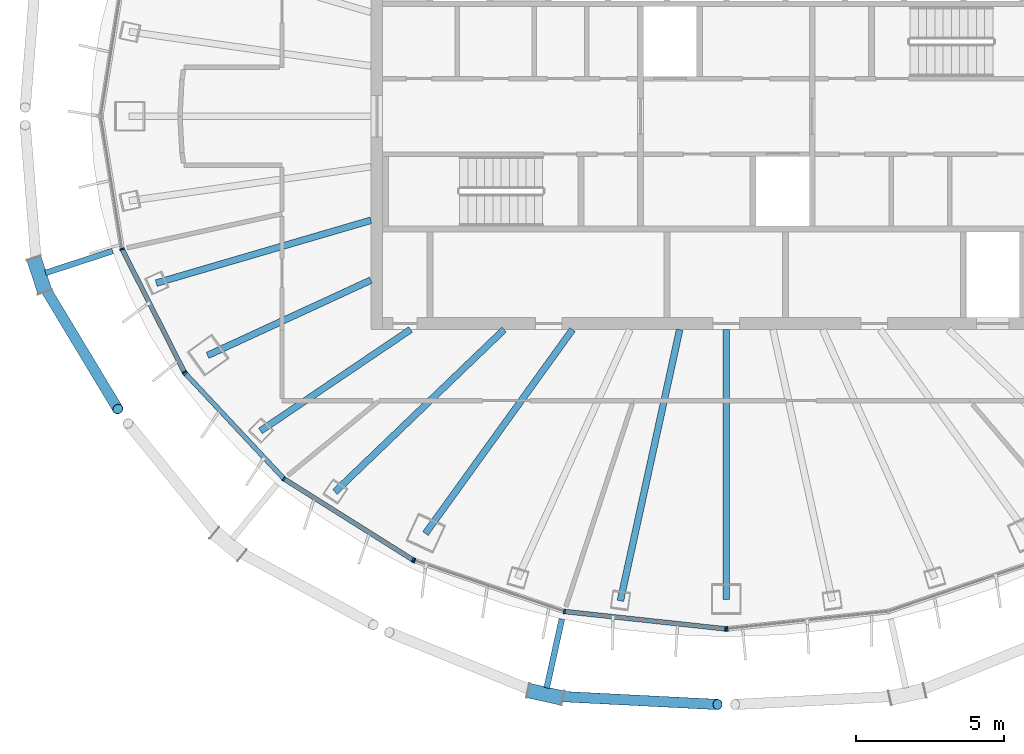
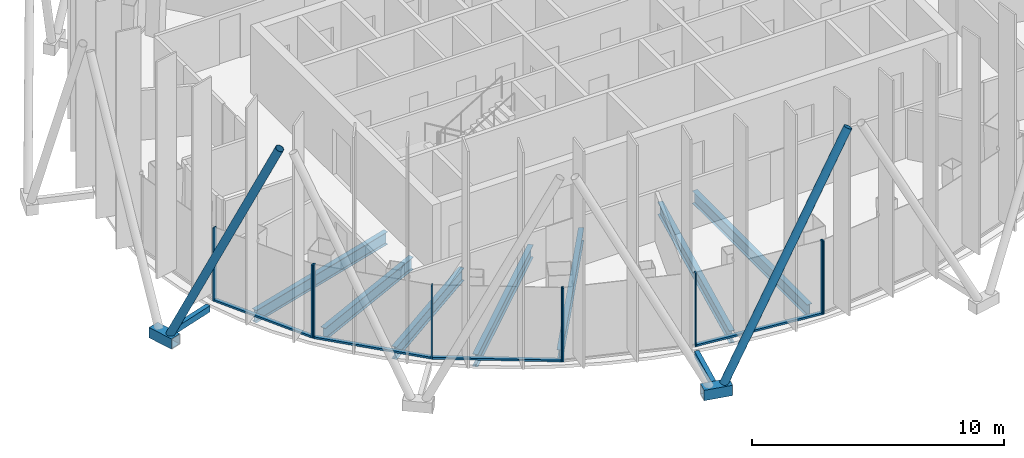
# One storey, part 2 of 19: 19 members, 7 beams, 4 elements without a shape of their own.
"""IFC4 building model written with IfcOpenShell, lengths in metres."""

from ifc_helpers import new_model, si_unit, direction, frame, origin, origin_2d, place, context, subcontext, project, spatial, rectangle, hollow_rectangle, hollow_circle, i_section, extrude, material, layer, layer_set, material_profile, profile_set, type_object, element, aggregate, save


model = new_model("IFC4")

# Units and contexts
model_context = context("Model", 3, precision=1e-05, world=origin(), true_north=direction((0.0, 1.0)))
body_context = subcontext(model_context, "Body", "Model", "MODEL_VIEW")
ifc_project = project(units=[si_unit("LENGTHUNIT", "METRE"), si_unit("AREAUNIT", "SQUARE_METRE"), si_unit("VOLUMEUNIT", "CUBIC_METRE"), si_unit("PLANEANGLEUNIT", "RADIAN"), si_unit("MASSUNIT", "GRAM", prefix="KILO")], contexts=[model_context])

# Site, building, storey
site_placement = place(None, origin())
site = spatial("IfcSite", under=ifc_project, at=site_placement, CompositionType="ELEMENT")
building_placement = place(site_placement, origin())
building = spatial("IfcBuilding", under=site, at=building_placement, Name="Siaravel Broadcast Tower", CompositionType="ELEMENT")
storey_placement = place(building_placement, frame((0.0, 0.0, 239.300048828125)))
storey = spatial("IfcBuildingStorey", under=building, at=storey_placement, Name="L58", CompositionType="ELEMENT", Elevation=239.300048828125)

# Beams
ifc_material_1 = material(Name="Steel S355", Category="steel")
ifc_material_profile_1 = material_profile(ifc_material_1, i_section(OverallWidth=0.2275390625, OverallDepth=0.6025390625, WebThickness=0.010498046875, FlangeThickness=0.014892578125, FilletRadius=0.0126953125, at=origin_2d()))
ifc_profile_set_1 = profile_set([ifc_material_profile_1], Name="Steel S355")
beam_type = type_object("IfcBeamType", Name="BM-UB 610x229x101", PredefinedType="BEAM", material=ifc_profile_set_1)
beam_1_placement = place(storey_placement, frame((-19.24658203125, -5.631103515625, -0.451416015625), z_axis=(0.959767168, 0.280797052, 0.0), x_axis=(-0.280797052, 0.959767168, 0.0)))
element("IfcBeam", 1, at=beam_1_placement, inside=storey, type_object=beam_type, Name="Radial beam RB21", PredefinedType="BEAM", context=body_context, shape_type="SweptSolid", body=[
    extrude(i_section(OverallWidth=0.2275390625, OverallDepth=0.6025390625, WebThickness=0.010498046875, FlangeThickness=0.014892578125, FilletRadius=0.0126953125, at=origin_2d()), origin(), (0.0, 0.0, 1.0), 7.55029296875),
])
beam_2_placement = place(storey_placement, frame((-17.512451171875, -8.073486328125, -0.451416015625), z_axis=(0.908128823, 0.418690865, 0.0), x_axis=(-0.418690865, 0.908128823, 0.0)))
element("IfcBeam", 2, at=beam_2_placement, inside=storey, type_object=beam_type, Name="Radial beam RB22", PredefinedType="BEAM", context=body_context, shape_type="SweptSolid", body=[
    extrude(i_section(OverallWidth=0.2275390625, OverallDepth=0.6025390625, WebThickness=0.010498046875, FlangeThickness=0.014892578125, FilletRadius=0.0126953125, at=origin_2d()), origin(), (0.0, 0.0, 1.0), 6.070068359375),
])
beam_3_placement = place(storey_placement, frame((-15.727294921875, -10.62109375, -0.451416015625), z_axis=(0.828723642, 0.559658043, 0.0), x_axis=(-0.559658043, 0.828723642, 0.0)))
element("IfcBeam", 3, at=beam_3_placement, inside=storey, type_object=beam_type, Name="Radial beam RB23", PredefinedType="BEAM", context=body_context, shape_type="SweptSolid", body=[
    extrude(i_section(OverallWidth=0.2275390625, OverallDepth=0.6025390625, WebThickness=0.010498046875, FlangeThickness=0.014892578125, FilletRadius=0.0126953125, at=origin_2d()), origin(), (0.0, 0.0, 1.0), 6.113037109375),
])
beam_4_placement = place(storey_placement, frame((-13.21240234375, -12.680908203125, -0.451416015625), z_axis=(0.721455119, 0.692461198, 0.0), x_axis=(-0.692461198, 0.721455119, 0.0)))
element("IfcBeam", 4, at=beam_4_placement, inside=storey, type_object=beam_type, Name="Radial beam RB24", PredefinedType="BEAM", context=body_context, shape_type="SweptSolid", body=[
    extrude(i_section(OverallWidth=0.2275390625, OverallDepth=0.6025390625, WebThickness=0.010498046875, FlangeThickness=0.014892578125, FilletRadius=0.0126953125, at=origin_2d()), origin(), (0.0, 0.0, 1.0), 7.915283203125),
])
beam_5_placement = place(storey_placement, frame((-10.15966796875, -14.0869140625, -0.451416015625), z_axis=(0.584939282, 0.811077084, 0.0), x_axis=(-0.811077084, 0.584939282, 0.0)))
element("IfcBeam", 5, at=beam_5_placement, inside=storey, type_object=beam_type, Name="Radial beam RB25", PredefinedType="BEAM", context=body_context, shape_type="SweptSolid", body=[
    extrude(i_section(OverallWidth=0.2275390625, OverallDepth=0.6025390625, WebThickness=0.010498046875, FlangeThickness=0.014892578125, FilletRadius=0.0126953125, at=origin_2d()), origin(), (0.0, 0.0, 1.0), 8.4912109375),
])
beam_6_placement = place(storey_placement, frame((-3.577392578125, -16.35791015625, -0.451416015625), z_axis=(0.213633966, 0.976913777, 0.0), x_axis=(-0.976913777, 0.213633966, 0.0)))
element("IfcBeam", 6, at=beam_6_placement, inside=storey, type_object=beam_type, Name="Radial beam RB27", PredefinedType="BEAM", context=body_context, shape_type="SweptSolid", body=[
    extrude(i_section(OverallWidth=0.2275390625, OverallDepth=0.6025390625, WebThickness=0.010498046875, FlangeThickness=0.014892578125, FilletRadius=0.0126953125, at=origin_2d()), origin(), (0.0, 0.0, 1.0), 9.374267578125),
])
beam_7_placement = place(storey_placement, frame((0.0, -16.314208984375, -0.451416015625), z_axis=(0.0, 1.0, 0.0), x_axis=(-1.0, 0.0, 0.0)))
element("IfcBeam", 7, at=beam_7_placement, inside=storey, type_object=beam_type, Name="Radial beam RB28", PredefinedType="BEAM", context=body_context, shape_type="SweptSolid", body=[
    extrude(i_section(OverallWidth=0.2275390625, OverallDepth=0.6025390625, WebThickness=0.010498046875, FlangeThickness=0.014892578125, FilletRadius=0.0126953125, at=origin_2d()), origin(), (0.0, 0.0, 1.0), 9.1142578125),
])

# Curtain wall, members
ifc_material_2 = material(Name="Aluminium 6063-T6", Category="aluminium")
ifc_layer = layer(ifc_material_2, 0.159912109375)
ifc_layer_set = layer_set([ifc_layer], Name="Aluminium 6063-T6")
curtain_wall_type = type_object("IfcCurtainWallType", Name="Unitised curtain wall, zone 4", PredefinedType="NOTDEFINED", material=ifc_layer_set)
curtain_wall_1_placement = place(storey_placement, origin())
curtain_wall_1 = element("IfcCurtainWall", 8, at=curtain_wall_1_placement, inside=storey, type_object=curtain_wall_type, Name="L58 Unitised curtain wall, zone 4 07", PredefinedType="NOTDEFINED")
ifc_material_profile_2 = material_profile(ifc_material_2, rectangle(XDim=0.159912109375, YDim=0.054931640625, at=origin_2d()))
ifc_profile_set_2 = profile_set([ifc_material_profile_2], Name="Aluminium 6063-T6")
member_type_1 = type_object("IfcMemberType", Name="CW-Z4 mullion", PredefinedType="MULLION", material=ifc_profile_set_2)
member_1_placement = place(storey_placement, frame((-20.3974609375, -4.48193359375, 0.0), z_axis=(0.0, 0.0, 1.0), x_axis=(0.951177611, 0.308644055, 0.0)))
member_1 = element("IfcMember", 9, at=member_1_placement, type_object=member_type_1, Name="CW-Z4 mullion 2", PredefinedType="MULLION", context=body_context, shape_type="SweptSolid", body=[
    extrude(rectangle(XDim=0.159912109375, YDim=0.054931640625, at=origin_2d()), origin(), (0.0, 0.0, 1.0), 3.550048828125),
])
member_2_placement = place(storey_placement, frame((-18.298583984375, -8.6328125, 0.0), z_axis=(0.0, 0.0, 1.0), x_axis=(0.892392891, 0.451259268, 0.0)))
member_2 = element("IfcMember", 10, at=member_2_placement, type_object=member_type_1, Name="CW-Z4 mullion 3", PredefinedType="MULLION", context=body_context, shape_type="SweptSolid", body=[
    extrude(rectangle(XDim=0.159912109375, YDim=0.054931640625, at=origin_2d()), origin(), (0.0, 0.0, 1.0), 3.550048828125),
])

curtain_wall_2_placement = place(storey_placement, origin())
curtain_wall_2 = element("IfcCurtainWall", 11, at=curtain_wall_2_placement, inside=storey, type_object=curtain_wall_type, Name="L58 Unitised curtain wall, zone 4 08", PredefinedType="NOTDEFINED")
member_3_placement = place(storey_placement, frame((-18.267333984375, -8.67724609375, 0.0), z_axis=(0.0, 0.0, 1.0), x_axis=(0.729806527, 0.683653738, 0.0)))
member_3 = element("IfcMember", 12, at=member_3_placement, type_object=member_type_1, Name="CW-Z4 mullion 1", PredefinedType="MULLION", context=body_context, shape_type="SweptSolid", body=[
    extrude(rectangle(XDim=0.159912109375, YDim=0.054931640625, at=origin_2d()), origin(), (0.0, 0.0, 1.0), 3.550048828125),
])
member_4_placement = place(storey_placement, frame((-14.928955078125, -12.2412109375, 0.0), z_axis=(0.0, 0.0, 1.0), x_axis=(0.636219923, 0.771507751, 0.0)))
member_4 = element("IfcMember", 13, at=member_4_placement, type_object=member_type_1, Name="CW-Z4 mullion 2", PredefinedType="MULLION", context=body_context, shape_type="SweptSolid", body=[
    extrude(rectangle(XDim=0.159912109375, YDim=0.054931640625, at=origin_2d()), origin(), (0.0, 0.0, 1.0), 3.550048828125),
])
member_5_placement = place(storey_placement, frame((-10.57861328125, -14.9755859375, 0.0), z_axis=(0.0, 0.0, 1.0), x_axis=(0.532150463, 0.846649801, 0.0)))
member_5 = element("IfcMember", 14, at=member_5_placement, type_object=member_type_1, Name="CW-Z4 mullion 3", PredefinedType="MULLION", context=body_context, shape_type="SweptSolid", body=[
    extrude(rectangle(XDim=0.159912109375, YDim=0.054931640625, at=origin_2d()), origin(), (0.0, 0.0, 1.0), 3.550048828125),
])

curtain_wall_3_placement = place(storey_placement, origin())
curtain_wall_3 = element("IfcCurtainWall", 15, at=curtain_wall_3_placement, inside=storey, type_object=curtain_wall_type, Name="L58 Unitised curtain wall, zone 4 09", PredefinedType="NOTDEFINED")
member_6_placement = place(storey_placement, frame((-10.529296875, -14.998779296875, 0.0), z_axis=(0.0, 0.0, 1.0), x_axis=(0.321301466, 0.946976963, 0.0)))
member_6 = element("IfcMember", 16, at=member_6_placement, type_object=member_type_1, Name="CW-Z4 mullion 1", PredefinedType="MULLION", context=body_context, shape_type="SweptSolid", body=[
    extrude(rectangle(XDim=0.159912109375, YDim=0.054931640625, at=origin_2d()), origin(), (0.0, 0.0, 1.0), 3.550048828125),
])
member_7_placement = place(storey_placement, frame((-5.46337890625, -16.7177734375, 0.0), z_axis=(0.0, 0.0, 1.0), x_axis=(0.215558647, 0.976490896, 0.0)))
member_7 = element("IfcMember", 17, at=member_7_placement, type_object=member_type_1, Name="CW-Z4 mullion 2", PredefinedType="MULLION", context=body_context, shape_type="SweptSolid", body=[
    extrude(rectangle(XDim=0.159912109375, YDim=0.054931640625, at=origin_2d()), origin(), (0.0, 0.0, 1.0), 3.550048828125),
])
member_8_placement = place(storey_placement, frame((-0.02734375, -17.303955078125, 0.0), z_axis=(0.0, 0.0, 1.0), x_axis=(0.107217782, 0.994235559, 0.0)))
member_8 = element("IfcMember", 18, at=member_8_placement, type_object=member_type_1, Name="CW-Z4 mullion 3", PredefinedType="MULLION", context=body_context, shape_type="SweptSolid", body=[
    extrude(rectangle(XDim=0.159912109375, YDim=0.054931640625, at=origin_2d()), origin(), (0.0, 0.0, 1.0), 3.550048828125),
])

# Curtain wall, member
curtain_wall_4_placement = place(storey_placement, origin())
curtain_wall_4 = element("IfcCurtainWall", 19, at=curtain_wall_4_placement, inside=storey, type_object=curtain_wall_type, Name="L58 Unitised curtain wall, zone 4 10", PredefinedType="NOTDEFINED")
member_9_placement = place(storey_placement, frame((0.02734375, -17.303955078125, 0.0), z_axis=(0.0, 0.0, 1.0), x_axis=(-0.107217782, 0.994235559, 0.0)))
member_9 = element("IfcMember", 20, at=member_9_placement, type_object=member_type_1, Name="CW-Z4 mullion 1", PredefinedType="MULLION", context=body_context, shape_type="SweptSolid", body=[
    extrude(rectangle(XDim=0.159912109375, YDim=0.054931640625, at=origin_2d()), origin(), (0.0, 0.0, 1.0), 3.550048828125),
])
aggregate(curtain_wall_4, [member_9])

# Member
ifc_material_profile_3 = material_profile(ifc_material_2, rectangle(XDim=0.159912109375, YDim=0.090087890625, at=origin_2d()))
ifc_profile_set_3 = profile_set([ifc_material_profile_3], Name="Aluminium 6063-T6")
member_type_2 = type_object("IfcMemberType", Name="CW-Z4 transom", PredefinedType="USERDEFINED", material=ifc_profile_set_3)
member_10_placement = place(storey_placement, frame((-20.385009765625, -4.506591796875, 0.044921875), z_axis=(0.451288387, -0.892378166, 0.0), x_axis=(0.892378166, 0.451288387, 0.0)))
member_10 = element("IfcMember", 21, at=member_10_placement, type_object=member_type_2, Name="CW-Z4 transom 2", ObjectType="TRANSOM", PredefinedType="USERDEFINED", context=body_context, shape_type="SweptSolid", body=[
    extrude(rectangle(XDim=0.159912109375, YDim=0.090087890625, at=origin_2d()), origin(), (0.0, 0.0, 1.0), 4.59619140625),
])

aggregate(curtain_wall_1, [member_1, member_2, member_10])

member_11_placement = place(storey_placement, frame((-18.24853515625, -8.697509765625, 0.044921875), z_axis=(0.683646721, -0.7298131, 0.0), x_axis=(0.7298131, 0.683646721, 0.0)))
member_11 = element("IfcMember", 22, at=member_11_placement, type_object=member_type_2, Name="CW-Z4 transom 1", ObjectType="TRANSOM", PredefinedType="USERDEFINED", context=body_context, shape_type="SweptSolid", body=[
    extrude(rectangle(XDim=0.159912109375, YDim=0.090087890625, at=origin_2d()), origin(), (0.0, 0.0, 1.0), 4.828125),
])

member_12_placement = place(storey_placement, frame((-14.905517578125, -12.255859375, 0.044921875), z_axis=(0.84666808, -0.532121379, 0.0), x_axis=(0.532121379, 0.84666808, 0.0)))
member_12 = element("IfcMember", 23, at=member_12_placement, type_object=member_type_2, Name="CW-Z4 transom 2", ObjectType="TRANSOM", PredefinedType="USERDEFINED", context=body_context, shape_type="SweptSolid", body=[
    extrude(rectangle(XDim=0.159912109375, YDim=0.090087890625, at=origin_2d()), origin(), (0.0, 0.0, 1.0), 5.0830078125),
])

aggregate(curtain_wall_2, [member_3, member_4, member_5, member_11, member_12])

member_13_placement = place(storey_placement, frame((-5.43603515625, -16.720703125, 0.044921875), z_axis=(0.994235542, -0.107217942, 0.0), x_axis=(0.107217942, 0.994235542, 0.0)))
member_13 = element("IfcMember", 24, at=member_13_placement, type_object=member_type_2, Name="CW-Z4 transom 2", ObjectType="TRANSOM", PredefinedType="USERDEFINED", context=body_context, shape_type="SweptSolid", body=[
    extrude(rectangle(XDim=0.159912109375, YDim=0.090087890625, at=origin_2d()), origin(), (0.0, 0.0, 1.0), 5.41259765625),
])

aggregate(curtain_wall_3, [member_6, member_7, member_8, member_13])

# Members
ifc_material_3 = material(Name="Steel S460", Category="steel")
ifc_material_profile_4 = material_profile(ifc_material_3, hollow_circle(Radius=0.177734375, WallThickness=0.012451171875, at=origin_2d()))
ifc_profile_set_4 = profile_set([ifc_material_profile_4], Name="Steel S460")
member_type_3 = type_object("IfcMemberType", Name="Diagrid diagonal CHS 355.6x12.5", PredefinedType="BRACE", material=ifc_profile_set_4)
member_14_placement = place(storey_placement, frame((-23.100341796875, -5.63720703125, 0.02001953125), z_axis=(0.217706207, -0.361279339, 0.906686962), x_axis=(0.856509654, 0.516131004, 0.0)))
element("IfcMember", 25, at=member_14_placement, inside=storey, type_object=member_type_3, Name="Diagrid diagonal R24 station 39A", PredefinedType="BRACE", context=body_context, shape_type="SweptSolid", body=[
    extrude(hollow_circle(Radius=0.177734375, WallThickness=0.012451171875, at=origin_2d()), origin(), (0.0, 0.0, 1.0), 11.757080078125),
])
member_15_placement = place(storey_placement, frame((-5.82080078125, -19.57568359375, 0.02001953125), z_axis=(0.460045548, -0.023417987, 0.887586442), x_axis=(0.050837805, 0.998706923, 0.0)))
element("IfcMember", 26, at=member_15_placement, inside=storey, type_object=member_type_3, Name="Diagrid diagonal R24 station 51A", PredefinedType="BRACE", context=body_context, shape_type="SweptSolid", body=[
    extrude(hollow_circle(Radius=0.177734375, WallThickness=0.012451171875, at=origin_2d()), origin(), (0.0, 0.0, 1.0), 12.010009765625),
])
ifc_material_profile_5 = material_profile(ifc_material_3, hollow_rectangle(XDim=0.5, YDim=0.5, WallThickness=0.031982421875, at=origin_2d()))
ifc_profile_set_5 = profile_set([ifc_material_profile_5], Name="Steel S460")
member_type_4 = type_object("IfcMemberType", Name="Diagrid node BOX 500x500x32", PredefinedType="USERDEFINED", material=ifc_profile_set_5)
for number, where, z_axis, x_axis, name in (
    (27, (-23.376708984375, -4.792236328125, -0.199951171875), (0.310853231, -0.950457926, 0.0), (0.950457926, 0.310853231, 0.0), "Diagrid node R24 station 39"),
    (28, (-6.689208984375, -19.38525390625, -0.199951171875), (0.97675485, -0.214359426, 0.0), (0.214359426, 0.97675485, 0.0), "Diagrid node R24 station 51"),
):
    element("IfcMember", number, at=place(storey_placement, frame(where, z_axis=z_axis, x_axis=x_axis)), inside=storey, type_object=member_type_4, Name=name, ObjectType="DIAGRID NODE", PredefinedType="USERDEFINED", context=body_context, shape_type="SweptSolid", body=[
        extrude(hollow_rectangle(XDim=0.5, YDim=0.5, WallThickness=0.031982421875, at=origin_2d()), origin(), (0.0, 0.0, 1.0), 1.186767578125),
    ])
ifc_material_profile_6 = material_profile(ifc_material_3, hollow_rectangle(XDim=0.199951171875, YDim=0.300048828125, WallThickness=0.012451171875, at=origin_2d()))
ifc_profile_set_6 = profile_set([ifc_material_profile_6], Name="Steel S460")
member_type_5 = type_object("IfcMemberType", Name="Diagrid node arm RHS 300x200x12.5", PredefinedType="STRUT", material=ifc_profile_set_6)
for number, where, z_axis, x_axis, name in (
    (29, (-20.720947265625, -4.5478515625, -0.199951171875), (-0.950442877, -0.31089924, 0.0), (0.31089924, -0.950442877, 0.0), "Node arm R24 station 39"),
    (30, (-5.55224609375, -16.972900390625, -0.199951171875), (-0.2143882, -0.976748535, 0.0), (0.976748535, -0.2143882, 0.0), "Node arm R24 station 51"),
):
    element("IfcMember", number, at=place(storey_placement, frame(where, z_axis=z_axis, x_axis=x_axis)), inside=storey, type_object=member_type_5, Name=name, PredefinedType="STRUT", context=body_context, shape_type="SweptSolid", body=[
        extrude(hollow_rectangle(XDim=0.199951171875, YDim=0.300048828125, WallThickness=0.012451171875, at=origin_2d()), origin(), (0.0, 0.0, 1.0), 2.380126953125),
    ])

save(model, "model.ifc")
